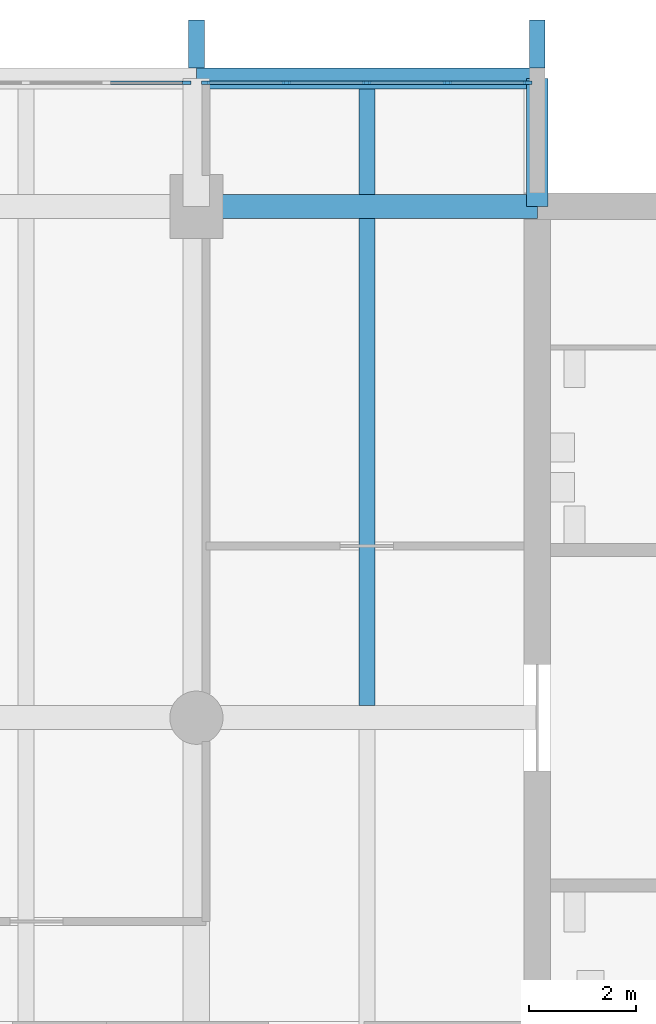
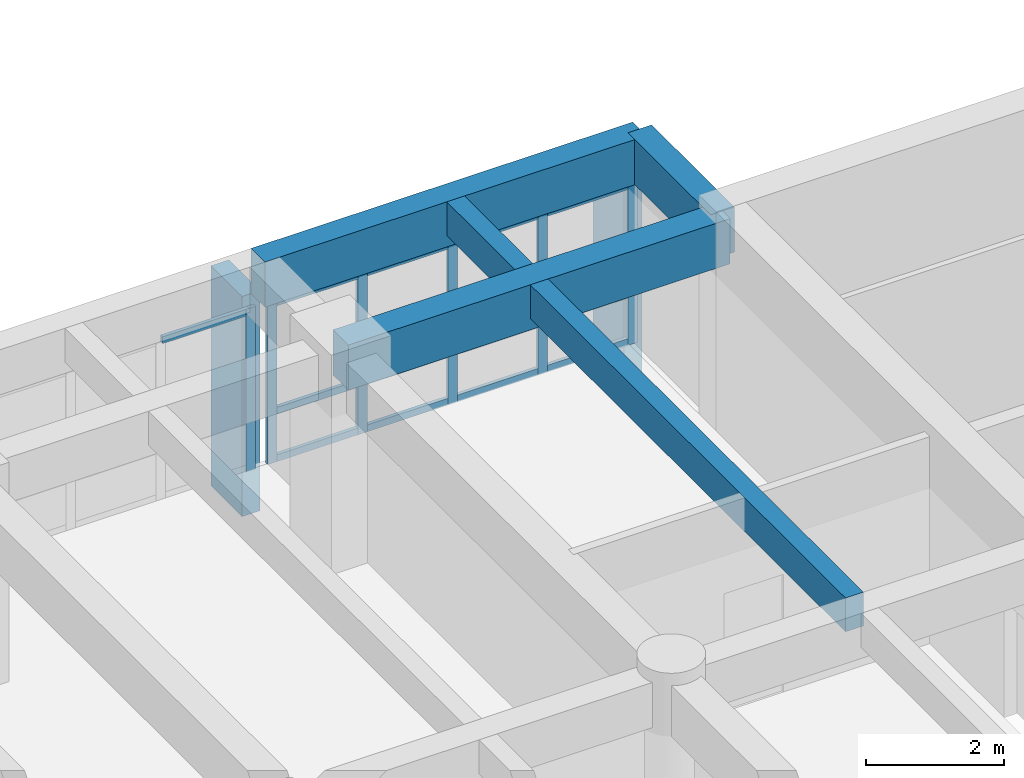
# One storey, part 6 of 15: 21 members, 5 beams, 2 elements without a shape of their own.
"""IFC4 building model written with IfcOpenShell, lengths in metres."""

from ifc_helpers import new_model, si_unit, direction, frame, origin, origin_2d, place, context, subcontext, project, spatial, rectangle, extrude, material, layer, layer_set, material_profile, profile_set, type_object, element, aggregate, save


model = new_model("IFC4")

# Units and contexts
model_context = context("Model", 3, precision=1e-05, world=origin(), true_north=direction((0.0, 1.0)))
body_context = subcontext(model_context, "Body", "Model", "MODEL_VIEW")
ifc_project = project(units=[si_unit("LENGTHUNIT", "METRE"), si_unit("AREAUNIT", "SQUARE_METRE"), si_unit("VOLUMEUNIT", "CUBIC_METRE"), si_unit("PLANEANGLEUNIT", "RADIAN"), si_unit("MASSUNIT", "GRAM", prefix="KILO")], contexts=[model_context])

# Site, building, storey
site_placement = place(None, origin())
site = spatial("IfcSite", under=ifc_project, at=site_placement, CompositionType="ELEMENT")
building_placement = place(site_placement, origin())
building = spatial("IfcBuilding", under=site, at=building_placement, Name="Fogon Plaza Fire Station and Headquarters Tower", CompositionType="ELEMENT")
storey_placement = place(building_placement, frame((0.0, 0.0, 28.800048828125)))
storey = spatial("IfcBuildingStorey", under=building, at=storey_placement, Name="L07", CompositionType="ELEMENT", Elevation=28.800048828125)

# Beams
ifc_material_1 = material(Name="Concrete C40", Category="concrete")
ifc_material_profile_1 = material_profile(ifc_material_1, rectangle(XDim=0.39990234375, YDim=0.800048828125, at=origin_2d()), Name="RC 400x800")
ifc_profile_set_1 = profile_set([ifc_material_profile_1], Name="Concrete C40")
beam_type_1 = type_object("IfcBeamType", Name="BEAM RC 400x800", PredefinedType="BEAM", material=ifc_profile_set_1)
beam_1_placement = place(storey_placement, frame((57.60009765625, 55.199951171875, 3.280029296875), z_axis=(1.0, 0.0, 0.0), x_axis=(0.0, 1.0, 0.0)))
element("IfcBeam", 1, at=beam_1_placement, inside=storey, type_object=beam_type_1, Name="beam-L07-050", PredefinedType="BEAM", context=body_context, shape_type="SweptSolid", body=[
    extrude(rectangle(XDim=0.39990234375, YDim=0.800048828125, at=origin_2d()), origin(), (0.0, 0.0, 1.0), 6.39990234375),
])
ifc_material_2 = material(Name="Concrete C40", Category="concrete")
ifc_material_profile_2 = material_profile(ifc_material_2, rectangle(XDim=0.39990234375, YDim=0.800048828125, at=origin_2d()), Name="RC 400x800")
ifc_profile_set_2 = profile_set([ifc_material_profile_2], Name="Concrete C40")
beam_type_2 = type_object("IfcBeamType", Name="BEAM RC 400x800 SPAN 0.0 TO 3.0 M", PredefinedType="BEAM", material=ifc_profile_set_2)
beam_2_placement = place(storey_placement, frame((64.0, 52.800048828125, 3.280029296875), z_axis=(0.0, 1.0, 0.0), x_axis=(-1.0, 0.0, 0.0)))
element("IfcBeam", 2, at=beam_2_placement, inside=storey, type_object=beam_type_2, Name="beam-L07-054", PredefinedType="BEAM", context=body_context, shape_type="SweptSolid", body=[
    extrude(rectangle(XDim=0.39990234375, YDim=0.800048828125, at=origin_2d()), origin(), (0.0, 0.0, 1.0), 2.39990234375),
])
ifc_material_3 = material(Name="Concrete C40", Category="concrete")
ifc_material_profile_3 = material_profile(ifc_material_3, rectangle(XDim=0.449951171875, YDim=0.800048828125, at=origin_2d()), Name="RC 450x800")
ifc_profile_set_3 = profile_set([ifc_material_profile_3], Name="Concrete C40")
beam_type_3 = type_object("IfcBeamType", Name="BEAM RC 450x800", PredefinedType="BEAM", material=ifc_profile_set_3)
beam_3_placement = place(storey_placement, frame((57.60009765625, 52.800048828125, 3.280029296875), z_axis=(1.0, 0.0, 0.0), x_axis=(0.0, 1.0, 0.0)))
element("IfcBeam", 3, at=beam_3_placement, inside=storey, type_object=beam_type_3, Name="beam-L07-038", PredefinedType="BEAM", context=body_context, shape_type="SweptSolid", body=[
    extrude(rectangle(XDim=0.449951171875, YDim=0.800048828125, at=origin_2d()), origin(), (0.0, 0.0, 1.0), 6.39990234375),
])

# Curtain wall, member
ifc_material_4 = material(Name="Aluminium and glass", Category="aluminium")
ifc_layer = layer(ifc_material_4, 0.14990234375)
ifc_layer_set = layer_set([ifc_layer], Name="Aluminium and glass")
curtain_wall_type = type_object("IfcCurtainWallType", Name="Unitised Curtain Wall Run 6100x2880", PredefinedType="NOTDEFINED", material=ifc_layer_set)
curtain_wall_1_placement = place(storey_placement, origin())
curtain_wall_1 = element("IfcCurtainWall", 4, at=curtain_wall_1_placement, inside=storey, type_object=curtain_wall_type, Name="CW-6100x2880 N5 L07", PredefinedType="NOTDEFINED")
ifc_material_5 = material(Name="Aluminium", Category="aluminium")
ifc_material_profile_4 = material_profile(ifc_material_5, rectangle(XDim=0.06005859375, YDim=0.159912109375, at=origin_2d()), Name="Curtain Wall Mullion 60x160")
ifc_profile_set_4 = profile_set([ifc_material_profile_4], Name="Aluminium")
member_type_1 = type_object("IfcMemberType", Name="Curtain Wall Mullion 60x160", PredefinedType="MULLION", material=ifc_profile_set_4)
member_1_placement = place(storey_placement, frame((57.419921875, 55.1201171875, 0.0), z_axis=(0.0, 0.0, 1.0), x_axis=(0.0, 1.0, 0.0)))
member_1 = element("IfcMember", 5, at=member_1_placement, type_object=member_type_1, Name="CW-6100x2880 mullion 5", PredefinedType="MULLION", context=body_context, shape_type="SweptSolid", body=[
    extrude(rectangle(XDim=0.06005859375, YDim=0.159912109375, at=origin_2d()), origin(), (0.0, 0.0, 1.0), 2.8798828125),
])

# Curtain wall, members
curtain_wall_2_placement = place(storey_placement, origin())
curtain_wall_2 = element("IfcCurtainWall", 6, at=curtain_wall_2_placement, inside=storey, type_object=curtain_wall_type, Name="CW-6100x2880 N6 L07", PredefinedType="NOTDEFINED")
member_2_placement = place(storey_placement, frame((57.780029296875, 55.1201171875, 0.0), z_axis=(0.0, 0.0, 1.0), x_axis=(0.0, 1.0, 0.0)))
member_2 = element("IfcMember", 7, at=member_2_placement, type_object=member_type_1, Name="CW-6100x2880 mullion 1", PredefinedType="MULLION", context=body_context, shape_type="SweptSolid", body=[
    extrude(rectangle(XDim=0.06005859375, YDim=0.159912109375, at=origin_2d()), origin(), (0.0, 0.0, 1.0), 2.8798828125),
])
member_3_placement = place(storey_placement, frame((59.2900390625, 55.1201171875, 0.0), z_axis=(0.0, 0.0, 1.0), x_axis=(0.0, 1.0, 0.0)))
member_3 = element("IfcMember", 8, at=member_3_placement, type_object=member_type_1, Name="CW-6100x2880 mullion 2", PredefinedType="MULLION", context=body_context, shape_type="SweptSolid", body=[
    extrude(rectangle(XDim=0.06005859375, YDim=0.159912109375, at=origin_2d()), origin(), (0.0, 0.0, 1.0), 2.8798828125),
])
member_4_placement = place(storey_placement, frame((60.800048828125, 55.1201171875, 0.0), z_axis=(0.0, 0.0, 1.0), x_axis=(0.0, 1.0, 0.0)))
member_4 = element("IfcMember", 9, at=member_4_placement, type_object=member_type_1, Name="CW-6100x2880 mullion 3", PredefinedType="MULLION", context=body_context, shape_type="SweptSolid", body=[
    extrude(rectangle(XDim=0.06005859375, YDim=0.159912109375, at=origin_2d()), origin(), (0.0, 0.0, 1.0), 2.8798828125),
])
member_5_placement = place(storey_placement, frame((62.31005859375, 55.1201171875, 0.0), z_axis=(0.0, 0.0, 1.0), x_axis=(0.0, 1.0, 0.0)))
member_5 = element("IfcMember", 10, at=member_5_placement, type_object=member_type_1, Name="CW-6100x2880 mullion 4", PredefinedType="MULLION", context=body_context, shape_type="SweptSolid", body=[
    extrude(rectangle(XDim=0.06005859375, YDim=0.159912109375, at=origin_2d()), origin(), (0.0, 0.0, 1.0), 2.8798828125),
])
member_6_placement = place(storey_placement, frame((63.820068359375, 55.1201171875, 0.0), z_axis=(0.0, 0.0, 1.0), x_axis=(0.0, 1.0, 0.0)))
member_6 = element("IfcMember", 11, at=member_6_placement, type_object=member_type_1, Name="CW-6100x2880 mullion 5", PredefinedType="MULLION", context=body_context, shape_type="SweptSolid", body=[
    extrude(rectangle(XDim=0.06005859375, YDim=0.159912109375, at=origin_2d()), origin(), (0.0, 0.0, 1.0), 2.8798828125),
])

# Member
ifc_material_6 = material(Name="Aluminium", Category="aluminium")
ifc_material_profile_5 = material_profile(ifc_material_6, rectangle(XDim=0.06005859375, YDim=0.1201171875, at=origin_2d()), Name="Curtain Wall Transom 60x120")
ifc_profile_set_5 = profile_set([ifc_material_profile_5], Name="Aluminium")
member_type_2 = type_object("IfcMemberType", Name="Curtain Wall Transom 60x120", PredefinedType="USERDEFINED", material=ifc_profile_set_5)
member_7_placement = place(storey_placement, frame((55.93994140625, 55.1201171875, 2.820068359375), z_axis=(1.0, 0.0, 0.0), x_axis=(0.0, 1.0, 0.0)))
member_7 = element("IfcMember", 12, at=member_7_placement, type_object=member_type_2, Name="CW-6100x2880 transom 4.3", ObjectType="TRANSOM", PredefinedType="USERDEFINED", context=body_context, shape_type="SweptSolid", body=[
    extrude(rectangle(XDim=0.06005859375, YDim=0.1201171875, at=origin_2d()), origin(), (0.0, 0.0, 1.0), 1.449951171875),
])

aggregate(curtain_wall_1, [member_1, member_7])

member_8_placement = place(storey_placement, frame((57.81005859375, 55.1201171875, 0.06005859375), z_axis=(1.0, 0.0, 0.0), x_axis=(0.0, 1.0, 0.0)))
member_8 = element("IfcMember", 13, at=member_8_placement, type_object=member_type_2, Name="CW-6100x2880 transom 1.1", ObjectType="TRANSOM", PredefinedType="USERDEFINED", context=body_context, shape_type="SweptSolid", body=[
    extrude(rectangle(XDim=0.06005859375, YDim=0.1201171875, at=origin_2d()), origin(), (0.0, 0.0, 1.0), 1.449951171875),
])

member_9_placement = place(storey_placement, frame((57.81005859375, 55.1201171875, 0.89990234375), z_axis=(1.0, 0.0, 0.0), x_axis=(0.0, 1.0, 0.0)))
member_9 = element("IfcMember", 14, at=member_9_placement, type_object=member_type_2, Name="CW-6100x2880 transom 1.2", ObjectType="TRANSOM", PredefinedType="USERDEFINED", context=body_context, shape_type="SweptSolid", body=[
    extrude(rectangle(XDim=0.06005859375, YDim=0.1201171875, at=origin_2d()), origin(), (0.0, 0.0, 1.0), 1.449951171875),
])

member_10_placement = place(storey_placement, frame((57.81005859375, 55.1201171875, 2.820068359375), z_axis=(1.0, 0.0, 0.0), x_axis=(0.0, 1.0, 0.0)))
member_10 = element("IfcMember", 15, at=member_10_placement, type_object=member_type_2, Name="CW-6100x2880 transom 1.3", ObjectType="TRANSOM", PredefinedType="USERDEFINED", context=body_context, shape_type="SweptSolid", body=[
    extrude(rectangle(XDim=0.06005859375, YDim=0.1201171875, at=origin_2d()), origin(), (0.0, 0.0, 1.0), 1.449951171875),
])

member_11_placement = place(storey_placement, frame((59.320068359375, 55.1201171875, 0.06005859375), z_axis=(1.0, 0.0, 0.0), x_axis=(0.0, 1.0, 0.0)))
member_11 = element("IfcMember", 16, at=member_11_placement, type_object=member_type_2, Name="CW-6100x2880 transom 2.1", ObjectType="TRANSOM", PredefinedType="USERDEFINED", context=body_context, shape_type="SweptSolid", body=[
    extrude(rectangle(XDim=0.06005859375, YDim=0.1201171875, at=origin_2d()), origin(), (0.0, 0.0, 1.0), 1.449951171875),
])

member_12_placement = place(storey_placement, frame((59.320068359375, 55.1201171875, 0.89990234375), z_axis=(1.0, 0.0, 0.0), x_axis=(0.0, 1.0, 0.0)))
member_12 = element("IfcMember", 17, at=member_12_placement, type_object=member_type_2, Name="CW-6100x2880 transom 2.2", ObjectType="TRANSOM", PredefinedType="USERDEFINED", context=body_context, shape_type="SweptSolid", body=[
    extrude(rectangle(XDim=0.06005859375, YDim=0.1201171875, at=origin_2d()), origin(), (0.0, 0.0, 1.0), 1.449951171875),
])

member_13_placement = place(storey_placement, frame((59.320068359375, 55.1201171875, 2.820068359375), z_axis=(1.0, 0.0, 0.0), x_axis=(0.0, 1.0, 0.0)))
member_13 = element("IfcMember", 18, at=member_13_placement, type_object=member_type_2, Name="CW-6100x2880 transom 2.3", ObjectType="TRANSOM", PredefinedType="USERDEFINED", context=body_context, shape_type="SweptSolid", body=[
    extrude(rectangle(XDim=0.06005859375, YDim=0.1201171875, at=origin_2d()), origin(), (0.0, 0.0, 1.0), 1.449951171875),
])

member_14_placement = place(storey_placement, frame((60.830078125, 55.1201171875, 0.06005859375), z_axis=(1.0, 0.0, 0.0), x_axis=(0.0, 1.0, 0.0)))
member_14 = element("IfcMember", 19, at=member_14_placement, type_object=member_type_2, Name="CW-6100x2880 transom 3.1", ObjectType="TRANSOM", PredefinedType="USERDEFINED", context=body_context, shape_type="SweptSolid", body=[
    extrude(rectangle(XDim=0.06005859375, YDim=0.1201171875, at=origin_2d()), origin(), (0.0, 0.0, 1.0), 1.449951171875),
])

member_15_placement = place(storey_placement, frame((60.830078125, 55.1201171875, 0.89990234375), z_axis=(1.0, 0.0, 0.0), x_axis=(0.0, 1.0, 0.0)))
member_15 = element("IfcMember", 20, at=member_15_placement, type_object=member_type_2, Name="CW-6100x2880 transom 3.2", ObjectType="TRANSOM", PredefinedType="USERDEFINED", context=body_context, shape_type="SweptSolid", body=[
    extrude(rectangle(XDim=0.06005859375, YDim=0.1201171875, at=origin_2d()), origin(), (0.0, 0.0, 1.0), 1.449951171875),
])

member_16_placement = place(storey_placement, frame((60.830078125, 55.1201171875, 2.820068359375), z_axis=(1.0, 0.0, 0.0), x_axis=(0.0, 1.0, 0.0)))
member_16 = element("IfcMember", 21, at=member_16_placement, type_object=member_type_2, Name="CW-6100x2880 transom 3.3", ObjectType="TRANSOM", PredefinedType="USERDEFINED", context=body_context, shape_type="SweptSolid", body=[
    extrude(rectangle(XDim=0.06005859375, YDim=0.1201171875, at=origin_2d()), origin(), (0.0, 0.0, 1.0), 1.449951171875),
])

member_17_placement = place(storey_placement, frame((62.340087890625, 55.1201171875, 0.06005859375), z_axis=(1.0, 0.0, 0.0), x_axis=(0.0, 1.0, 0.0)))
member_17 = element("IfcMember", 22, at=member_17_placement, type_object=member_type_2, Name="CW-6100x2880 transom 4.1", ObjectType="TRANSOM", PredefinedType="USERDEFINED", context=body_context, shape_type="SweptSolid", body=[
    extrude(rectangle(XDim=0.06005859375, YDim=0.1201171875, at=origin_2d()), origin(), (0.0, 0.0, 1.0), 1.449951171875),
])

member_18_placement = place(storey_placement, frame((62.340087890625, 55.1201171875, 0.89990234375), z_axis=(1.0, 0.0, 0.0), x_axis=(0.0, 1.0, 0.0)))
member_18 = element("IfcMember", 23, at=member_18_placement, type_object=member_type_2, Name="CW-6100x2880 transom 4.2", ObjectType="TRANSOM", PredefinedType="USERDEFINED", context=body_context, shape_type="SweptSolid", body=[
    extrude(rectangle(XDim=0.06005859375, YDim=0.1201171875, at=origin_2d()), origin(), (0.0, 0.0, 1.0), 1.449951171875),
])

member_19_placement = place(storey_placement, frame((62.340087890625, 55.1201171875, 2.820068359375), z_axis=(1.0, 0.0, 0.0), x_axis=(0.0, 1.0, 0.0)))
member_19 = element("IfcMember", 24, at=member_19_placement, type_object=member_type_2, Name="CW-6100x2880 transom 4.3", ObjectType="TRANSOM", PredefinedType="USERDEFINED", context=body_context, shape_type="SweptSolid", body=[
    extrude(rectangle(XDim=0.06005859375, YDim=0.1201171875, at=origin_2d()), origin(), (0.0, 0.0, 1.0), 1.449951171875),
])

aggregate(curtain_wall_2, [member_2, member_3, member_4, member_5, member_6, member_8, member_9, member_10, member_11, member_12, member_13, member_14, member_15, member_16, member_17, member_18, member_19])

# Beams
ifc_material_7 = material(Name="Concrete C40", Category="concrete")
ifc_material_profile_6 = material_profile(ifc_material_7, rectangle(XDim=0.300048828125, YDim=0.60009765625, at=origin_2d()), Name="RC 300x600")
ifc_profile_set_6 = profile_set([ifc_material_profile_6], Name="Concrete C40")
beam_type_4 = type_object("IfcBeamType", Name="JOIST RC 300x600", PredefinedType="JOIST", material=ifc_profile_set_6)
beam_4_placement = place(storey_placement, frame((60.800048828125, 43.425048828125, 3.3798828125), z_axis=(0.0, 1.0, 0.0), x_axis=(-1.0, 0.0, 0.0)))
element("IfcBeam", 25, at=beam_4_placement, inside=storey, type_object=beam_type_4, Name="beam-L07-077", PredefinedType="JOIST", context=body_context, shape_type="SweptSolid", body=[
    extrude(rectangle(XDim=0.300048828125, YDim=0.60009765625, at=origin_2d()), origin(), (0.0, 0.0, 1.0), 9.14990234375),
])
ifc_material_8 = material(Name="Concrete C40", Category="concrete")
ifc_material_profile_7 = material_profile(ifc_material_8, rectangle(XDim=0.300048828125, YDim=0.60009765625, at=origin_2d()), Name="RC 300x600")
ifc_profile_set_7 = profile_set([ifc_material_profile_7], Name="Concrete C40")
beam_type_5 = type_object("IfcBeamType", Name="JOIST RC 300x600 SPAN 0.0 TO 3.0 M", PredefinedType="JOIST", material=ifc_profile_set_7)
beam_5_placement = place(storey_placement, frame((60.800048828125, 53.02490234375, 3.3798828125), z_axis=(0.0, 1.0, 0.0), x_axis=(-1.0, 0.0, 0.0)))
element("IfcBeam", 26, at=beam_5_placement, inside=storey, type_object=beam_type_5, Name="beam-L07-078", PredefinedType="JOIST", context=body_context, shape_type="SweptSolid", body=[
    extrude(rectangle(XDim=0.300048828125, YDim=0.60009765625, at=origin_2d()), origin(), (0.0, 0.0, 1.0), 1.97509765625),
])

# Members
ifc_material_9 = material(Name="Concrete C40 precast", Category="concrete")
ifc_material_profile_8 = material_profile(ifc_material_9, rectangle(XDim=0.300048828125, YDim=0.89990234375, at=origin_2d()), Name="Precast Concrete Post 300x900")
ifc_profile_set_8 = profile_set([ifc_material_profile_8], Name="Concrete C40 precast")
member_type_3 = type_object("IfcMemberType", Name="Precast Concrete Post 300x900", PredefinedType="POST", material=ifc_profile_set_8)
for number, where, z_axis, x_axis, name in (
    (27, (57.60009765625, 55.85009765625, -1.02001953125), (0.0, 0.0, 1.0), (1.0, 0.0, 0.0), "Precast Post N L07"),
    (28, (64.0, 55.85009765625, -1.02001953125), (0.0, 0.0, 1.0), (1.0, 0.0, 0.0), "Precast Post N L07"),
):
    element("IfcMember", number, at=place(storey_placement, frame(where, z_axis=z_axis, x_axis=x_axis)), inside=storey, type_object=member_type_3, Name=name, PredefinedType="POST", context=body_context, shape_type="SweptSolid", body=[
        extrude(rectangle(XDim=0.300048828125, YDim=0.89990234375, at=origin_2d()), origin(), (0.0, 0.0, 1.0), 3.89990234375),
    ])

save(model, "model.ifc")
